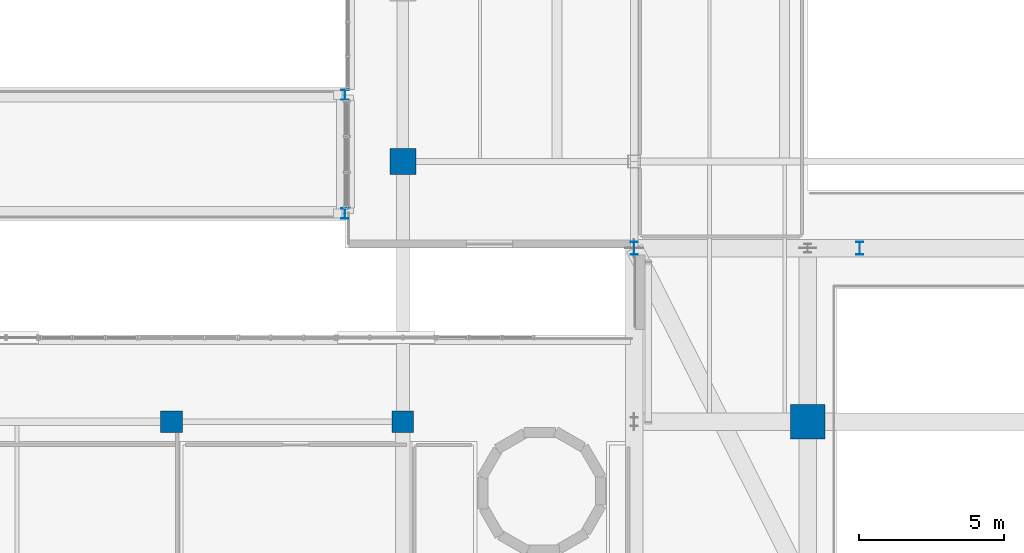
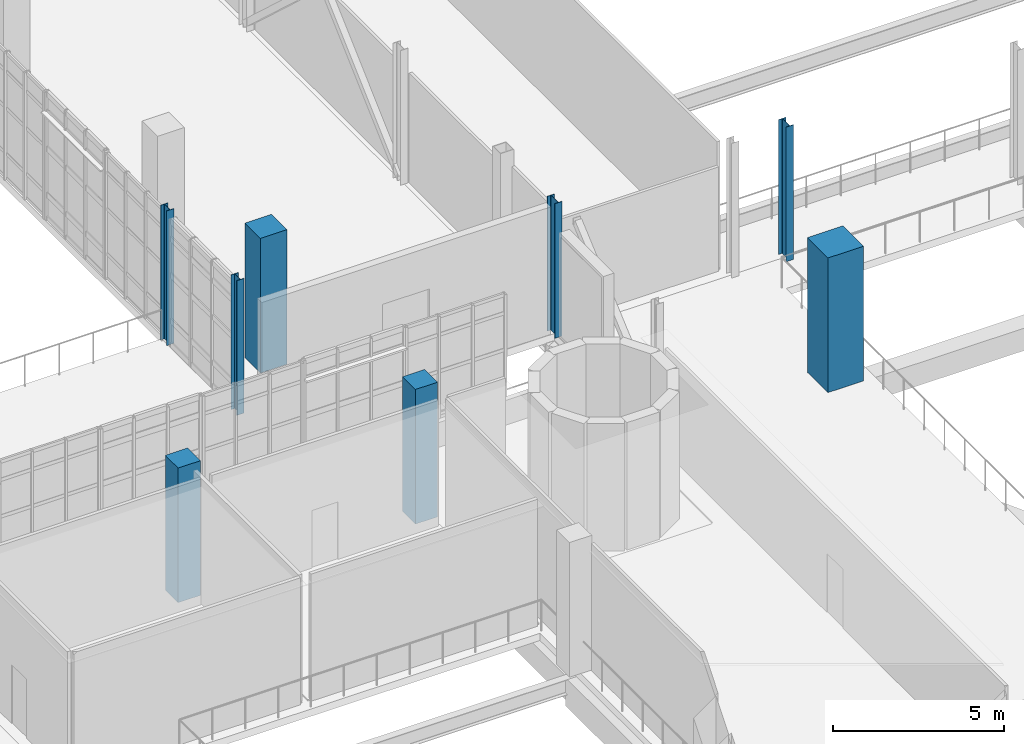
# One storey, part 4 of 100: 8 columns.
"""IFC4 building model written with IfcOpenShell, lengths in metres."""

from ifc_helpers import new_model, si_unit, derived_unit, direction, frame, origin, origin_2d, place, context, subcontext, project, spatial, rectangle, i_section, extrude, material, material_profile, profile_set, type_object, element, save


model = new_model("IFC4")

# Units and contexts
model_context = context("Model", 3, precision=1e-05, world=origin(), true_north=direction((0.0, 1.0)))
body_context = subcontext(model_context, "Body", "Model", "MODEL_VIEW")
ifc_project = project(units=[si_unit("LENGTHUNIT", "METRE"), si_unit("AREAUNIT", "SQUARE_METRE"), si_unit("VOLUMEUNIT", "CUBIC_METRE"), si_unit("PLANEANGLEUNIT", "RADIAN"), si_unit("MASSUNIT", "GRAM", prefix="KILO"), derived_unit("THERMALTRANSMITTANCEUNIT", [(si_unit("POWERUNIT", "WATT"), 1), (si_unit("LENGTHUNIT", "METRE"), -2), (si_unit("THERMODYNAMICTEMPERATUREUNIT", "KELVIN"), -1)])], contexts=[model_context])

# Site, building, storey
site_placement = place(None, origin())
site = spatial("IfcSite", under=ifc_project, at=site_placement, CompositionType="ELEMENT")
building_placement = place(site_placement, origin())
building = spatial("IfcBuilding", under=site, at=building_placement, Name="Nallur Shell Playhouse", CompositionType="ELEMENT")
storey_placement = place(building_placement, frame((0.0, 0.0, 10.199951171875)))
storey = spatial("IfcBuildingStorey", under=building, at=storey_placement, Name="L03", CompositionType="ELEMENT", Elevation=10.199951171875)

# Columns
ifc_material_1 = material(Name="Concrete M45", Category="concrete")
ifc_material_profile_1 = material_profile(ifc_material_1, rectangle(XDim=1.199951171875, YDim=1.199951171875, at=origin_2d()), Name="RC 1200x1200")
ifc_profile_set_1 = profile_set([ifc_material_profile_1], Name="Concrete M45")
column_type_1 = type_object("IfcColumnType", Name="CL-RC-1200", PredefinedType="COLUMN", material=ifc_profile_set_1)
column_1_placement = place(storey_placement, frame((70.0, 41.0, 0.0), z_axis=(0.0, 0.0, 1.0), x_axis=(1.0, 0.0, 0.0)))
element("IfcColumn", 1, at=column_1_placement, inside=storey, type_object=column_type_1, Name="Column MC1N (L03)", PredefinedType="COLUMN", context=body_context, shape_type="SweptSolid", body=[
    extrude(rectangle(XDim=1.199951171875, YDim=1.199951171875, at=origin_2d()), origin(), (0.0, 0.0, 1.0), 4.800048828125),
])
ifc_material_2 = material(Name="Concrete M40", Category="concrete")
ifc_material_profile_2 = material_profile(ifc_material_2, rectangle(XDim=0.75, YDim=0.75, at=origin_2d()), Name="RC 750x750")
ifc_profile_set_2 = profile_set([ifc_material_profile_2], Name="Concrete M40")
column_type_2 = type_object("IfcColumnType", Name="CL-RC-750", PredefinedType="COLUMN", material=ifc_profile_set_2)
for number, where, z_axis, x_axis, name in (
    (2, (48.0, 41.0, 0.0), (0.0, 0.0, 1.0), (1.0, 0.0, 0.0), "Column 6-E (L03)"),
    (3, (56.0, 41.0, 0.0), (0.0, 0.0, 1.0), (1.0, 0.0, 0.0), "Column 7-E (L03)"),
):
    element("IfcColumn", number, at=place(storey_placement, frame(where, z_axis=z_axis, x_axis=x_axis)), inside=storey, type_object=column_type_2, Name=name, PredefinedType="COLUMN", context=body_context, shape_type="SweptSolid", body=[
        extrude(rectangle(XDim=0.75, YDim=0.75, at=origin_2d()), origin(), (0.0, 0.0, 1.0), 4.800048828125),
    ])
ifc_material_profile_3 = material_profile(ifc_material_2, rectangle(XDim=0.89990234375, YDim=0.89990234375, at=origin_2d()), Name="RC 900x900")
ifc_profile_set_3 = profile_set([ifc_material_profile_3], Name="Concrete M40")
column_type_3 = type_object("IfcColumnType", Name="CL-RC-900", PredefinedType="COLUMN", material=ifc_profile_set_3)
column_2_placement = place(storey_placement, frame((56.0, 50.0, 0.0), z_axis=(0.0, 0.0, 1.0), x_axis=(1.0, 0.0, 0.0)))
element("IfcColumn", 4, at=column_2_placement, inside=storey, type_object=column_type_3, Name="Column 7-F (L03)", PredefinedType="COLUMN", context=body_context, shape_type="SweptSolid", body=[
    extrude(rectangle(XDim=0.89990234375, YDim=0.89990234375, at=origin_2d()), origin(), (0.0, 0.0, 1.0), 4.800048828125),
])
ifc_material_3 = material(Name="Steel E350", Category="steel")
ifc_material_profile_4 = material_profile(ifc_material_3, i_section(OverallWidth=0.25, OverallDepth=0.35009765625, WebThickness=0.010009765625, FlangeThickness=0.01171875, FilletRadius=0.011962890625, at=origin_2d()), Name="ISHB 350")
ifc_profile_set_4 = profile_set([ifc_material_profile_4], Name="Steel E350")
column_type_4 = type_object("IfcColumnType", Name="CL-ST-ISHB350", PredefinedType="COLUMN", material=ifc_profile_set_4)
for number, where, z_axis, x_axis, name in (
    (5, (54.0, 48.199951171875, 0.0), (0.0, 0.0, 1.0), (1.0, 0.0, 0.0), "Column BRCOL-2 (L03)"),
    (6, (54.0, 52.300048828125, 0.0), (0.0, 0.0, 1.0), (1.0, 0.0, 0.0), "Column BRCOL-4 (L03)"),
):
    element("IfcColumn", number, at=place(storey_placement, frame(where, z_axis=z_axis, x_axis=x_axis)), inside=storey, type_object=column_type_4, Name=name, PredefinedType="COLUMN", context=body_context, shape_type="SweptSolid", body=[
        extrude(i_section(OverallWidth=0.25, OverallDepth=0.35009765625, WebThickness=0.010009765625, FlangeThickness=0.01171875, FilletRadius=0.011962890625, at=origin_2d()), origin(), (0.0, 0.0, 1.0), 4.800048828125),
    ])
ifc_material_profile_5 = material_profile(ifc_material_3, i_section(OverallWidth=0.25, OverallDepth=0.449951171875, WebThickness=0.01123046875, FlangeThickness=0.013671875, FilletRadius=0.014892578125, at=origin_2d()), Name="ISHB 450")
ifc_profile_set_5 = profile_set([ifc_material_profile_5], Name="Steel E350")
column_type_5 = type_object("IfcColumnType", Name="CL-ST-ISHB450", PredefinedType="COLUMN", material=ifc_profile_set_5)
for number, where, z_axis, x_axis, name in (
    (7, (64.0, 47.0, 0.0), (0.0, 0.0, 1.0), (1.0, 0.0, 0.0), "Column PROSC-1 (L03)"),
    (8, (71.800048828125, 47.0, 0.0), (0.0, 0.0, 1.0), (1.0, 0.0, 0.0), "Column PROSC-2 (L03)"),
):
    element("IfcColumn", number, at=place(storey_placement, frame(where, z_axis=z_axis, x_axis=x_axis)), inside=storey, type_object=column_type_5, Name=name, PredefinedType="COLUMN", context=body_context, shape_type="SweptSolid", body=[
        extrude(i_section(OverallWidth=0.25, OverallDepth=0.449951171875, WebThickness=0.01123046875, FlangeThickness=0.013671875, FilletRadius=0.014892578125, at=origin_2d()), origin(), (0.0, 0.0, 1.0), 4.800048828125),
    ])

save(model, "model.ifc")
